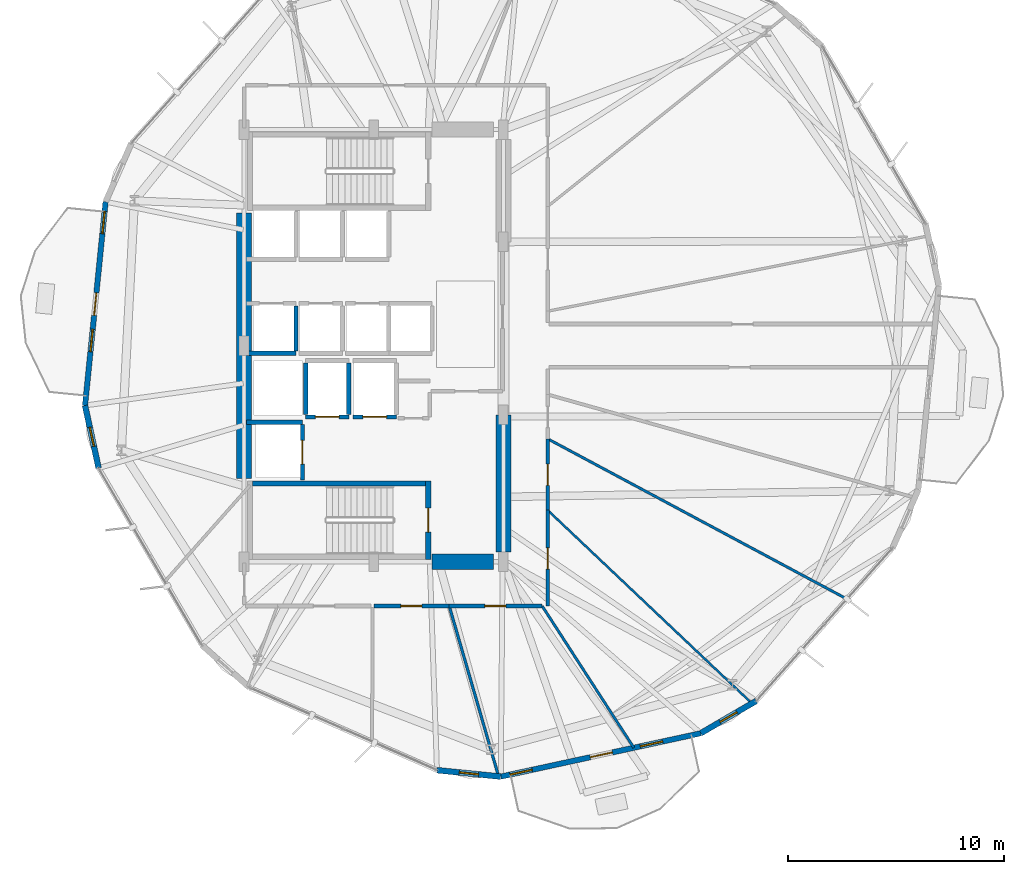
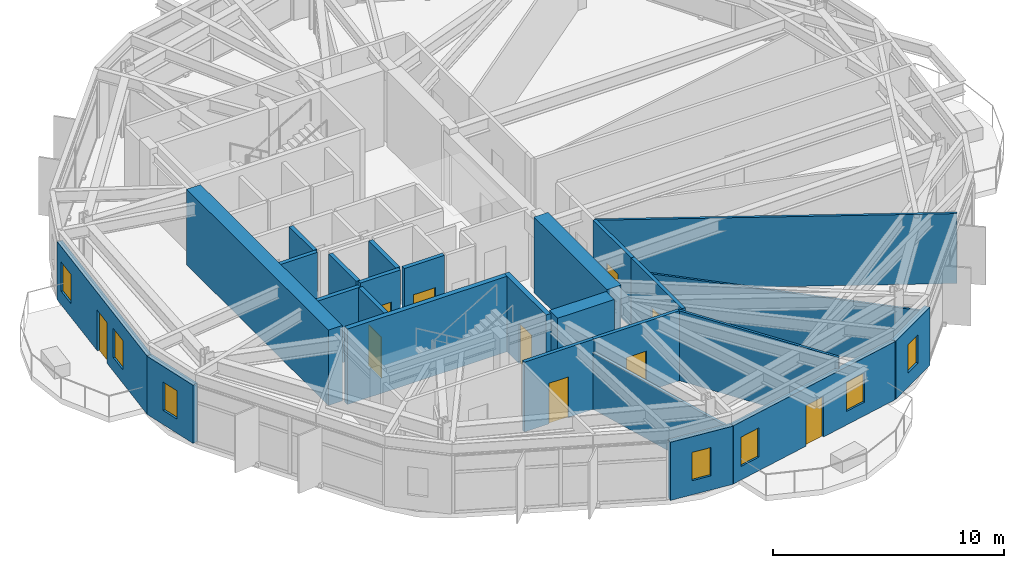
# One storey, part 17 of 22: 26 walls, 10 doors, 7 windows, 17 openings.
"""IFC4 building model written with IfcOpenShell, lengths in metres."""

from ifc_helpers import new_model, si_unit, direction, frame, frame_2d, origin, place, context, subcontext, project, spatial, rectangle, extrude, material, layer, layer_set, type_object, element, fill, save


model = new_model("IFC4")

# Units and contexts
model_context = context("Model", 3, precision=1e-05, world=origin(), true_north=direction((0.0, 1.0)))
body_context = subcontext(model_context, "Body", "Model", "MODEL_VIEW")
ifc_project = project(units=[si_unit("LENGTHUNIT", "METRE"), si_unit("AREAUNIT", "SQUARE_METRE"), si_unit("VOLUMEUNIT", "CUBIC_METRE"), si_unit("PLANEANGLEUNIT", "RADIAN"), si_unit("MASSUNIT", "GRAM", prefix="KILO")], contexts=[model_context])

# Site, building, storey
site_placement = place(None, origin())
site = spatial("IfcSite", under=ifc_project, at=site_placement, CompositionType="ELEMENT")
building_placement = place(site_placement, origin())
building = spatial("IfcBuilding", under=site, at=building_placement, Name="Soratama Intermodal Tower", CompositionType="ELEMENT")
storey_placement = place(building_placement, frame((0.0, 0.0, 74.60009765625)))
storey = spatial("IfcBuildingStorey", under=building, at=storey_placement, Name="L17", CompositionType="ELEMENT", Elevation=74.60009765625)

# Wall, openings, door, windows
ifc_material_1 = material(Name="Concrete f'c 42 MPa", Category="concrete")
ifc_layer_1 = layer(ifc_material_1, 0.25)
ifc_layer_set_1 = layer_set([ifc_layer_1], Name="Concrete f'c 42 MPa")
wall_type_1 = type_object("IfcWallType", Name="EW-BAL-250", PredefinedType="SOLIDWALL", material=ifc_layer_set_1)
wall_1_placement = place(storey_placement, frame((26.18994140625, 31.659912109375, 0.0), z_axis=(0.0, 0.0, 1.0), x_axis=(-0.100365790493, -0.994950605859, 0.0)))
wall_1 = element("IfcWall", 1, at=wall_1_placement, inside=storey, type_object=wall_type_1, Name="L17 Terrace Wall F05", PredefinedType="SOLIDWALL", context=body_context, shape_type="SweptSolid", body=[
    extrude(rectangle(XDim=9.47705078125, YDim=0.25, at=frame_2d((4.738525390625, 0.0))), origin(), (0.0, 0.0, 1.0), 3.078857421875),
])
opening_1_placement = place(wall_1_placement, frame((4.238525390625, 0.0, 0.0)))
opening_1 = element("IfcOpeningElement", 2, at=opening_1_placement, cuts=wall_1, Name="Opening ED-5", PredefinedType="OPENING", context=body_context, shape_type="SweptSolid", body=[
    extrude(rectangle(XDim=1.050048828125, YDim=2.14990234375, at=frame_2d((0.52490234375, 1.074951171875))), frame((0.0, 0.135009765625, 0.0), z_axis=(0.0, -1.0, 0.0), x_axis=(1.0, 0.0, 0.0)), (0.0, 0.0, 1.0), 0.27001953125),
])
opening_2_placement = place(wall_1_placement, frame((0.43994140625, 0.0, 0.719970703125)))
opening_2 = element("IfcOpeningElement", 3, at=opening_2_placement, cuts=wall_1, Name="Opening WN-5", PredefinedType="OPENING", context=body_context, shape_type="SweptSolid", body=[
    extrude(rectangle(XDim=1.050048828125, YDim=1.550048828125, at=frame_2d((0.52490234375, 0.77490234375))), frame((0.0, 0.135009765625, 0.0), z_axis=(0.0, -1.0, 0.0), x_axis=(1.0, 0.0, 0.0)), (0.0, 0.0, 1.0), 0.27001953125),
])
opening_3_placement = place(wall_1_placement, frame((5.928466796875, 0.0, 0.719970703125)))
opening_3 = element("IfcOpeningElement", 4, at=opening_3_placement, cuts=wall_1, Name="Opening WN-5", PredefinedType="OPENING", context=body_context, shape_type="SweptSolid", body=[
    extrude(rectangle(XDim=1.050048828125, YDim=1.550048828125, at=frame_2d((0.52490234375, 0.77490234375))), frame((0.0, 0.135009765625, 0.0), z_axis=(0.0, -1.0, 0.0), x_axis=(1.0, 0.0, 0.0)), (0.0, 0.0, 1.0), 0.27001953125),
])
ifc_material_2 = material(Name="Double-glazed aluminium door", Category="aluminium")
door_type_1 = type_object("IfcDoorType", Name="DR-BAL-1050", OperationType="NOTDEFINED", PredefinedType="DOOR", material=ifc_material_2)
door_1_placement = place(opening_1_placement, origin())
door_1 = element("IfcDoor", 5, at=door_1_placement, inside=storey, type_object=door_type_1, Name="L17 Balcony Door F05", OperationType="SINGLE_SWING_LEFT", OverallHeight=2.14990234375, OverallWidth=1.050048828125, PredefinedType="DOOR", context=body_context, shape_type="SweptSolid", body=[
    extrude(rectangle(XDim=1.050048828125, YDim=2.14990234375, at=frame_2d((0.52490234375, 1.074951171875))), frame((0.0, 0.02490234375, 0.0), z_axis=(0.0, -1.0, 0.0), x_axis=(1.0, 0.0, 0.0)), (0.0, 0.0, 1.0), 0.050048828125),
])
fill(opening_1, door_1)
ifc_material_3 = material(Name="Double-glazed aluminium window", Category="aluminium")
window_type_1 = type_object("IfcWindowType", Name="WN-FAC-1050", PartitioningType="SINGLE_PANEL", PredefinedType="WINDOW", material=ifc_material_3)
window_1_placement = place(opening_2_placement, origin())
window_1 = element("IfcWindow", 6, at=window_1_placement, inside=storey, type_object=window_type_1, Name="L17 Window A F05", OverallHeight=1.550048828125, OverallWidth=1.050048828125, PartitioningType="SINGLE_PANEL", PredefinedType="WINDOW", context=body_context, shape_type="SweptSolid", body=[
    extrude(rectangle(XDim=1.050048828125, YDim=1.550048828125, at=frame_2d((0.52490234375, 0.77490234375))), frame((0.0, 0.030029296875, 0.0), z_axis=(0.0, -1.0, 0.0), x_axis=(1.0, 0.0, 0.0)), (0.0, 0.0, 1.0), 0.06005859375),
])
fill(opening_2, window_1)
window_2_placement = place(opening_3_placement, origin())
window_2 = element("IfcWindow", 7, at=window_2_placement, inside=storey, type_object=window_type_1, Name="L17 Window B F05", OverallHeight=1.550048828125, OverallWidth=1.050048828125, PartitioningType="SINGLE_PANEL", PredefinedType="WINDOW", context=body_context, shape_type="SweptSolid", body=[
    extrude(rectangle(XDim=1.050048828125, YDim=1.550048828125, at=frame_2d((0.52490234375, 0.77490234375))), frame((0.0, 0.030029296875, 0.0), z_axis=(0.0, -1.0, 0.0), x_axis=(1.0, 0.0, 0.0)), (0.0, 0.0, 1.0), 0.06005859375),
])
fill(opening_3, window_2)

wall_2_placement = place(storey_placement, frame((44.478759765625, 5.052490234375, 0.0), z_axis=(0.0, 0.0, 1.0), x_axis=(0.977271129169, 0.211993254829, 0.0)))
wall_2 = element("IfcWall", 8, at=wall_2_placement, inside=storey, type_object=wall_type_1, Name="L17 Terrace Wall F08", PredefinedType="SOLIDWALL", context=body_context, shape_type="SweptSolid", body=[
    extrude(rectangle(XDim=9.476806640625, YDim=0.25, at=frame_2d((4.73828125, 0.0))), origin(), (0.0, 0.0, 1.0), 3.078857421875),
])
opening_4_placement = place(wall_2_placement, frame((4.238525390625, 0.0, 0.0)))
opening_4 = element("IfcOpeningElement", 9, at=opening_4_placement, cuts=wall_2, Name="Opening ED-5", PredefinedType="OPENING", context=body_context, shape_type="SweptSolid", body=[
    extrude(rectangle(XDim=1.050048828125, YDim=2.14990234375, at=frame_2d((0.52490234375, 1.074951171875))), frame((0.0, 0.135009765625, 0.0), z_axis=(0.0, -1.0, 0.0), x_axis=(1.0, 0.0, 0.0)), (0.0, 0.0, 1.0), 0.27001953125),
])
opening_5_placement = place(wall_2_placement, frame((0.43994140625, 0.0, 0.719970703125)))
opening_5 = element("IfcOpeningElement", 10, at=opening_5_placement, cuts=wall_2, Name="Opening WN-5", PredefinedType="OPENING", context=body_context, shape_type="SweptSolid", body=[
    extrude(rectangle(XDim=1.050048828125, YDim=1.550048828125, at=frame_2d((0.52490234375, 0.77490234375))), frame((0.0, 0.135009765625, 0.0), z_axis=(0.0, -1.0, 0.0), x_axis=(1.0, 0.0, 0.0)), (0.0, 0.0, 1.0), 0.27001953125),
])
opening_6_placement = place(wall_2_placement, frame((6.614501953125, 0.0, 0.719970703125)))
opening_6 = element("IfcOpeningElement", 11, at=opening_6_placement, cuts=wall_2, Name="Opening WN-5", PredefinedType="OPENING", context=body_context, shape_type="SweptSolid", body=[
    extrude(rectangle(XDim=1.050048828125, YDim=1.550048828125, at=frame_2d((0.52490234375, 0.77490234375))), frame((0.0, 0.135009765625, 0.0), z_axis=(0.0, -1.0, 0.0), x_axis=(1.0, 0.0, 0.0)), (0.0, 0.0, 1.0), 0.27001953125),
])
door_2_placement = place(opening_4_placement, origin())
door_2 = element("IfcDoor", 12, at=door_2_placement, inside=storey, type_object=door_type_1, Name="L17 Balcony Door F08", OperationType="SINGLE_SWING_RIGHT", OverallHeight=2.14990234375, OverallWidth=1.050048828125, PredefinedType="DOOR", context=body_context, shape_type="SweptSolid", body=[
    extrude(rectangle(XDim=1.050048828125, YDim=2.14990234375, at=frame_2d((0.52490234375, 1.074951171875))), frame((0.0, 0.02490234375, 0.0), z_axis=(0.0, -1.0, 0.0), x_axis=(1.0, 0.0, 0.0)), (0.0, 0.0, 1.0), 0.050048828125),
])
fill(opening_4, door_2)
window_3_placement = place(opening_5_placement, origin())
window_3 = element("IfcWindow", 13, at=window_3_placement, inside=storey, type_object=window_type_1, Name="L17 Window A F08", OverallHeight=1.550048828125, OverallWidth=1.050048828125, PartitioningType="SINGLE_PANEL", PredefinedType="WINDOW", context=body_context, shape_type="SweptSolid", body=[
    extrude(rectangle(XDim=1.050048828125, YDim=1.550048828125, at=frame_2d((0.52490234375, 0.77490234375))), frame((0.0, 0.030029296875, 0.0), z_axis=(0.0, -1.0, 0.0), x_axis=(1.0, 0.0, 0.0)), (0.0, 0.0, 1.0), 0.06005859375),
])
fill(opening_5, window_3)
window_4_placement = place(opening_6_placement, origin())
window_4 = element("IfcWindow", 14, at=window_4_placement, inside=storey, type_object=window_type_1, Name="L17 Window B F08", OverallHeight=1.550048828125, OverallWidth=1.050048828125, PartitioningType="SINGLE_PANEL", PredefinedType="WINDOW", context=body_context, shape_type="SweptSolid", body=[
    extrude(rectangle(XDim=1.050048828125, YDim=1.550048828125, at=frame_2d((0.52490234375, 0.77490234375))), frame((0.0, 0.030029296875, 0.0), z_axis=(0.0, -1.0, 0.0), x_axis=(1.0, 0.0, 0.0)), (0.0, 0.0, 1.0), 0.06005859375),
])
fill(opening_6, window_4)

# Wall, opening, window
ifc_material_4 = material(Name="Concrete f'c 42 MPa", Category="concrete")
ifc_layer_2 = layer(ifc_material_4, 0.27001953125)
ifc_layer_set_2 = layer_set([ifc_layer_2], Name="Concrete f'c 42 MPa")
wall_type_2 = type_object("IfcWallType", Name="EW-CRN-270", PredefinedType="SOLIDWALL", material=ifc_layer_set_2)
wall_3_placement = place(storey_placement, frame((25.23876953125, 22.230712890625, 0.0), z_axis=(0.0, 0.0, 1.0), x_axis=(0.212012761333, -0.977266897542, 0.0)))
wall_3 = element("IfcWall", 15, at=wall_3_placement, inside=storey, type_object=wall_type_2, Name="L17 Corner Closure Wall 05", PredefinedType="SOLIDWALL", context=body_context, shape_type="SweptSolid", body=[
    extrude(rectangle(XDim=2.96630859375, YDim=0.27001953125, at=frame_2d((1.483154296875, 0.0))), origin(), (0.0, 0.0, 1.0), 3.078857421875),
])
opening_7_placement = place(wall_3_placement, frame((1.033203125, 0.0, 0.75)))
opening_7 = element("IfcOpeningElement", 16, at=opening_7_placement, cuts=wall_3, Name="Opening WN-6", PredefinedType="OPENING", context=body_context, shape_type="SweptSolid", body=[
    extrude(rectangle(XDim=0.89990234375, YDim=1.5, at=frame_2d((0.449951171875, 0.75))), frame((0.0, 0.14501953125, 0.0), z_axis=(0.0, -1.0, 0.0), x_axis=(1.0, 0.0, 0.0)), (0.0, 0.0, 1.0), 0.2900390625),
])
ifc_material_5 = material(Name="Double-glazed aluminium window", Category="aluminium")
window_type_2 = type_object("IfcWindowType", Name="WN-FAC-900", PartitioningType="SINGLE_PANEL", PredefinedType="WINDOW", material=ifc_material_5)
window_5_placement = place(opening_7_placement, origin())
window_5 = element("IfcWindow", 17, at=window_5_placement, inside=storey, type_object=window_type_2, Name="L17 Corner Window 05", OverallHeight=1.5, OverallWidth=0.89990234375, PartitioningType="SINGLE_PANEL", PredefinedType="WINDOW", context=body_context, shape_type="SweptSolid", body=[
    extrude(rectangle(XDim=0.89990234375, YDim=1.5, at=frame_2d((0.449951171875, 0.75))), frame((0.0, 0.030029296875, 0.0), z_axis=(0.0, -1.0, 0.0), x_axis=(1.0, 0.0, 0.0)), (0.0, 0.0, 1.0), 0.06005859375),
])
fill(opening_7, window_5)

wall_4_placement = place(storey_placement, frame((41.527099609375, 5.35009765625, 0.0), z_axis=(0.0, 0.0, 1.0), x_axis=(0.994955375676, -0.100318494868, 0.0)))
wall_4 = element("IfcWall", 18, at=wall_4_placement, inside=storey, type_object=wall_type_2, Name="L17 Corner Closure Wall 07", PredefinedType="SOLIDWALL", context=body_context, shape_type="SweptSolid", body=[
    extrude(rectangle(XDim=2.966552734375, YDim=0.27001953125, at=frame_2d((1.4833984375, 0.0))), origin(), (0.0, 0.0, 1.0), 3.078857421875),
])
opening_8_placement = place(wall_4_placement, frame((1.033203125, 0.0, 0.75)))
opening_8 = element("IfcOpeningElement", 19, at=opening_8_placement, cuts=wall_4, Name="Opening WN-6", PredefinedType="OPENING", context=body_context, shape_type="SweptSolid", body=[
    extrude(rectangle(XDim=0.89990234375, YDim=1.5, at=frame_2d((0.449951171875, 0.75))), frame((0.0, 0.14501953125, 0.0), z_axis=(0.0, -1.0, 0.0), x_axis=(1.0, 0.0, 0.0)), (0.0, 0.0, 1.0), 0.2900390625),
])
window_6_placement = place(opening_8_placement, origin())
window_6 = element("IfcWindow", 20, at=window_6_placement, inside=storey, type_object=window_type_2, Name="L17 Corner Window 07", OverallHeight=1.5, OverallWidth=0.89990234375, PartitioningType="SINGLE_PANEL", PredefinedType="WINDOW", context=body_context, shape_type="SweptSolid", body=[
    extrude(rectangle(XDim=0.89990234375, YDim=1.5, at=frame_2d((0.449951171875, 0.75))), frame((0.0, 0.030029296875, 0.0), z_axis=(0.0, -1.0, 0.0), x_axis=(1.0, 0.0, 0.0)), (0.0, 0.0, 1.0), 0.06005859375),
])
fill(opening_8, window_6)

wall_5_placement = place(storey_placement, frame((53.740234375, 7.0615234375, 0.0), z_axis=(0.0, 0.0, 1.0), x_axis=(0.863895290782, 0.503671447041, 0.0)))
wall_5 = element("IfcWall", 21, at=wall_5_placement, inside=storey, type_object=wall_type_2, Name="L17 Corner Closure Wall 08", PredefinedType="SOLIDWALL", context=body_context, shape_type="SweptSolid", body=[
    extrude(rectangle(XDim=2.966552734375, YDim=0.27001953125, at=frame_2d((1.4833984375, 0.0))), origin(), (0.0, 0.0, 1.0), 3.078857421875),
])
opening_9_placement = place(wall_5_placement, frame((1.033203125, 0.0, 0.75)))
opening_9 = element("IfcOpeningElement", 22, at=opening_9_placement, cuts=wall_5, Name="Opening WN-6", PredefinedType="OPENING", context=body_context, shape_type="SweptSolid", body=[
    extrude(rectangle(XDim=0.89990234375, YDim=1.5, at=frame_2d((0.449951171875, 0.75))), frame((0.0, 0.14501953125, 0.0), z_axis=(0.0, -1.0, 0.0), x_axis=(1.0, 0.0, 0.0)), (0.0, 0.0, 1.0), 0.2900390625),
])
window_7_placement = place(opening_9_placement, origin())
window_7 = element("IfcWindow", 23, at=window_7_placement, inside=storey, type_object=window_type_2, Name="L17 Corner Window 08", OverallHeight=1.5, OverallWidth=0.89990234375, PartitioningType="SINGLE_PANEL", PredefinedType="WINDOW", context=body_context, shape_type="SweptSolid", body=[
    extrude(rectangle(XDim=0.89990234375, YDim=1.5, at=frame_2d((0.449951171875, 0.75))), frame((0.0, 0.030029296875, 0.0), z_axis=(0.0, -1.0, 0.0), x_axis=(1.0, 0.0, 0.0)), (0.0, 0.0, 1.0), 0.06005859375),
])
fill(opening_9, window_7)

# Wall, opening, door
ifc_material_6 = material(Name="Fire-rated gypsum stud partition", Category="concrete")
ifc_layer_3 = layer(ifc_material_6, 0.169921875)
ifc_layer_set_3 = layer_set([ifc_layer_3], Name="Fire-rated gypsum stud partition")
wall_type_3 = type_object("IfcWallType", Name="IW-PART-R170", PredefinedType="PARTITIONING", material=ifc_layer_set_3)
wall_6_placement = place(storey_placement, frame((46.64990234375, 17.385009765625, 0.0), z_axis=(0.0, 0.0, 1.0), x_axis=(0.0, -1.0, 0.0)))
wall_6 = element("IfcWall", 24, at=wall_6_placement, inside=storey, type_object=wall_type_3, Name="L17 Partition W-L17-TP018", PredefinedType="PARTITIONING", context=body_context, shape_type="SweptSolid", body=[
    extrude(rectangle(XDim=4.43505859375, YDim=0.169921875, at=frame_2d((2.217529296875, 0.0))), origin(), (0.0, 0.0, 1.0), 3.699951171875),
])
opening_10_placement = place(wall_6_placement, frame((1.742919921875, 0.0, 0.0)))
opening_10 = element("IfcOpeningElement", 25, at=opening_10_placement, cuts=wall_6, Name="Opening ID-5", PredefinedType="OPENING", context=body_context, shape_type="SweptSolid", body=[
    extrude(rectangle(XDim=0.97998046875, YDim=2.14990234375, at=frame_2d((0.489990234375, 1.074951171875))), frame((0.0, 0.094970703125, 0.0), z_axis=(0.0, -1.0, 0.0), x_axis=(1.0, 0.0, 0.0)), (0.0, 0.0, 1.0), 0.18994140625),
])
ifc_material_7 = material(Name="Solid hardwood acoustic door", Category="wood")
door_type_2 = type_object("IfcDoorType", Name="DR-OFF-980", OperationType="NOTDEFINED", PredefinedType="DOOR", material=ifc_material_7)
door_3_placement = place(opening_10_placement, origin())
door_3 = element("IfcDoor", 26, at=door_3_placement, inside=storey, type_object=door_type_2, Name="L17 Door D-L17-TP007", OperationType="SINGLE_SWING_RIGHT", OverallHeight=2.14990234375, OverallWidth=0.97998046875, PredefinedType="DOOR", context=body_context, shape_type="SweptSolid", body=[
    extrude(rectangle(XDim=0.97998046875, YDim=2.14990234375, at=frame_2d((0.489990234375, 1.074951171875))), frame((0.0, 0.02490234375, 0.0), z_axis=(0.0, -1.0, 0.0), x_axis=(1.0, 0.0, 0.0)), (0.0, 0.0, 1.0), 0.050048828125),
])
fill(opening_10, door_3)

wall_7_placement = place(storey_placement, frame((46.39501953125, 12.949951171875, 0.0), z_axis=(0.0, 0.0, 1.0), x_axis=(-1.0, 0.0, 0.0)))
wall_7 = element("IfcWall", 27, at=wall_7_placement, inside=storey, type_object=wall_type_3, Name="L17 Partition W-L17-TP020", PredefinedType="PARTITIONING", context=body_context, shape_type="SweptSolid", body=[
    extrude(rectangle(XDim=4.301025390625, YDim=0.169921875, at=frame_2d((2.150390625, 0.0))), origin(), (0.0, 0.0, 1.0), 3.699951171875),
])
opening_11_placement = place(wall_7_placement, frame((1.676025390625, 0.0, 0.0)))
opening_11 = element("IfcOpeningElement", 28, at=opening_11_placement, cuts=wall_7, Name="Opening ID-5", PredefinedType="OPENING", context=body_context, shape_type="SweptSolid", body=[
    extrude(rectangle(XDim=0.97998046875, YDim=2.14990234375, at=frame_2d((0.489990234375, 1.074951171875))), frame((0.0, 0.094970703125, 0.0), z_axis=(0.0, -1.0, 0.0), x_axis=(1.0, 0.0, 0.0)), (0.0, 0.0, 1.0), 0.18994140625),
])
door_4_placement = place(opening_11_placement, origin())
door_4 = element("IfcDoor", 29, at=door_4_placement, inside=storey, type_object=door_type_2, Name="L17 Door D-L17-TP009", OperationType="SINGLE_SWING_RIGHT", OverallHeight=2.14990234375, OverallWidth=0.97998046875, PredefinedType="DOOR", context=body_context, shape_type="SweptSolid", body=[
    extrude(rectangle(XDim=0.97998046875, YDim=2.14990234375, at=frame_2d((0.489990234375, 1.074951171875))), frame((0.0, 0.02490234375, 0.0), z_axis=(0.0, -1.0, 0.0), x_axis=(1.0, 0.0, 0.0)), (0.0, 0.0, 1.0), 0.050048828125),
])
fill(opening_11, door_4)

wall_8_placement = place(storey_placement, frame((42.093994140625, 12.949951171875, 0.0), z_axis=(0.0, 0.0, 1.0), x_axis=(-1.0, 0.0, 0.0)))
wall_8 = element("IfcWall", 30, at=wall_8_placement, inside=storey, type_object=wall_type_3, Name="L17 Partition W-L17-TP022", PredefinedType="PARTITIONING", context=body_context, shape_type="SweptSolid", body=[
    extrude(rectangle(XDim=3.47509765625, YDim=0.169921875, at=frame_2d((1.737548828125, 0.0))), origin(), (0.0, 0.0, 1.0), 3.699951171875),
])
opening_12_placement = place(wall_8_placement, frame((1.262939453125, 0.0, 0.0)))
opening_12 = element("IfcOpeningElement", 31, at=opening_12_placement, cuts=wall_8, Name="Opening ID-5", PredefinedType="OPENING", context=body_context, shape_type="SweptSolid", body=[
    extrude(rectangle(XDim=0.97998046875, YDim=2.14990234375, at=frame_2d((0.489990234375, 1.074951171875))), frame((0.0, 0.094970703125, 0.0), z_axis=(0.0, -1.0, 0.0), x_axis=(1.0, 0.0, 0.0)), (0.0, 0.0, 1.0), 0.18994140625),
])
door_5_placement = place(opening_12_placement, origin())
door_5 = element("IfcDoor", 32, at=door_5_placement, inside=storey, type_object=door_type_2, Name="L17 Door D-L17-TP010", OperationType="SINGLE_SWING_LEFT", OverallHeight=2.14990234375, OverallWidth=0.97998046875, PredefinedType="DOOR", context=body_context, shape_type="SweptSolid", body=[
    extrude(rectangle(XDim=0.97998046875, YDim=2.14990234375, at=frame_2d((0.489990234375, 1.074951171875))), frame((0.0, 0.02490234375, 0.0), z_axis=(0.0, -1.0, 0.0), x_axis=(1.0, 0.0, 0.0)), (0.0, 0.0, 1.0), 0.050048828125),
])
fill(opening_12, door_5)

wall_9_placement = place(storey_placement, frame((46.64990234375, 20.68896484375, 0.0), z_axis=(0.0, 0.0, 1.0), x_axis=(0.0, -1.0, 0.0)))
wall_9 = element("IfcWall", 33, at=wall_9_placement, inside=storey, type_object=wall_type_3, Name="L17 Partition W-L17-TP024", PredefinedType="PARTITIONING", context=body_context, shape_type="SweptSolid", body=[
    extrude(rectangle(XDim=3.303955078125, YDim=0.169921875, at=frame_2d((1.65185546875, 0.0))), origin(), (0.0, 0.0, 1.0), 3.699951171875),
])
opening_13_placement = place(wall_9_placement, frame((1.177001953125, 0.0, 0.0)))
opening_13 = element("IfcOpeningElement", 34, at=opening_13_placement, cuts=wall_9, Name="Opening ID-5", PredefinedType="OPENING", context=body_context, shape_type="SweptSolid", body=[
    extrude(rectangle(XDim=0.97998046875, YDim=2.14990234375, at=frame_2d((0.489990234375, 1.074951171875))), frame((0.0, 0.094970703125, 0.0), z_axis=(0.0, -1.0, 0.0), x_axis=(1.0, 0.0, 0.0)), (0.0, 0.0, 1.0), 0.18994140625),
])
door_6_placement = place(opening_13_placement, origin())
door_6 = element("IfcDoor", 35, at=door_6_placement, inside=storey, type_object=door_type_2, Name="L17 Door D-L17-TP012", OperationType="SINGLE_SWING_LEFT", OverallHeight=2.14990234375, OverallWidth=0.97998046875, PredefinedType="DOOR", context=body_context, shape_type="SweptSolid", body=[
    extrude(rectangle(XDim=0.97998046875, YDim=2.14990234375, at=frame_2d((0.489990234375, 1.074951171875))), frame((0.0, 0.02490234375, 0.0), z_axis=(0.0, -1.0, 0.0), x_axis=(1.0, 0.0, 0.0)), (0.0, 0.0, 1.0), 0.050048828125),
])
fill(opening_13, door_6)

# Walls
ifc_material_8 = material(Name="Fire-rated gypsum stud partition", Category="concrete")
ifc_layer_4 = layer(ifc_material_8, 0.10009765625)
ifc_layer_set_4 = layer_set([ifc_layer_4], Name="Fire-rated gypsum stud partition")
wall_type_4 = type_object("IfcWallType", Name="IW-PART-S100", PredefinedType="PARTITIONING", material=ifc_layer_set_4)
wall_10_placement = place(storey_placement, frame((46.64990234375, 17.385009765625, 0.0), z_axis=(0.0, 0.0, 1.0), x_axis=(0.726419957341, -0.687251078993, 0.0)))
element("IfcWall", 36, at=wall_10_placement, inside=storey, type_object=wall_type_4, Name="L17 Partition W-L17-TP007", PredefinedType="PARTITIONING", context=body_context, shape_type="SweptSolid", body=[
    extrude(rectangle(XDim=13.052001953125, YDim=0.10009765625, at=frame_2d((6.52587890625, 0.0))), origin(), (0.0, 0.0, 1.0), 2.994873046875),
])
ifc_material_9 = material(Name="Fire-rated gypsum stud partition", Category="concrete")
ifc_layer_5 = layer(ifc_material_9, 0.1201171875)
ifc_layer_set_5 = layer_set([ifc_layer_5], Name="Fire-rated gypsum stud partition")
wall_type_5 = type_object("IfcWallType", Name="IW-PART-S120", PredefinedType="PARTITIONING", material=ifc_layer_set_5)
wall_11_placement = place(storey_placement, frame((46.64990234375, 20.68896484375, 0.0), z_axis=(0.0, 0.0, 1.0), x_axis=(0.881603902275, -0.471989999358, 0.0)))
element("IfcWall", 37, at=wall_11_placement, inside=storey, type_object=wall_type_5, Name="L17 Partition W-L17-TP005", PredefinedType="PARTITIONING", context=body_context, shape_type="SweptSolid", body=[
    extrude(rectangle(XDim=15.72265625, YDim=0.1201171875, at=frame_2d((7.861328125, 0.0))), origin(), (0.0, 0.0, 1.0), 3.699951171875),
])
wall_12_placement = place(storey_placement, frame((46.39501953125, 12.949951171875, 0.0), z_axis=(0.0, 0.0, 1.0), x_axis=(0.543117835723, -0.839656487213, 0.0)))
element("IfcWall", 38, at=wall_12_placement, inside=storey, type_object=wall_type_5, Name="L17 Partition W-L17-TP010", PredefinedType="PARTITIONING", context=body_context, shape_type="SweptSolid", body=[
    extrude(rectangle(XDim=7.81396484375, YDim=0.1201171875, at=frame_2d((3.906982421875, 0.0))), origin(), (0.0, 0.0, 1.0), 3.699951171875),
])
ifc_material_10 = material(Name="Fire-rated gypsum stud partition", Category="concrete")
ifc_layer_6 = layer(ifc_material_10, 0.1298828125)
ifc_layer_set_6 = layer_set([ifc_layer_6], Name="Fire-rated gypsum stud partition")
wall_type_6 = type_object("IfcWallType", Name="IW-PART-S130", PredefinedType="PARTITIONING", material=ifc_layer_set_6)
wall_13_placement = place(storey_placement, frame((42.093994140625, 12.949951171875, 0.0), z_axis=(0.0, 0.0, 1.0), x_axis=(0.278434130026, -0.960455327039, 0.0)))
element("IfcWall", 39, at=wall_13_placement, inside=storey, type_object=wall_type_6, Name="L17 Partition W-L17-TP009", PredefinedType="PARTITIONING", context=body_context, shape_type="SweptSolid", body=[
    extrude(rectangle(XDim=8.228271484375, YDim=0.1298828125, at=frame_2d((4.1142578125, 0.0))), origin(), (0.0, 0.0, 1.0), 2.994873046875),
])

# Wall, opening, door
ifc_material_11 = material(Name="Concrete f'c 42 MPa", Category="concrete")
ifc_layer_7 = layer(ifc_material_11, 0.199951171875)
ifc_layer_set_7 = layer_set([ifc_layer_7], Name="Concrete f'c 42 MPa")
wall_type_7 = type_object("IfcWallType", Name="IW-SHAFT-200", PredefinedType="SOLIDWALL", material=ifc_layer_set_7)
wall_14_placement = place(storey_placement, frame((35.449951171875, 21.699951171875, 0.0), z_axis=(0.0, 0.0, 1.0), x_axis=(1.0, 0.0, 0.0)))
wall_14 = element("IfcWall", 40, at=wall_14_placement, inside=storey, type_object=wall_type_7, Name="L17 FFL-1 Hoistway Wall S", PredefinedType="SOLIDWALL", context=body_context, shape_type="SweptSolid", body=[
    extrude(rectangle(XDim=2.0, YDim=0.199951171875, at=frame_2d((1.0, 0.0))), origin(), (0.0, 0.0, 1.0), 3.699951171875),
])
opening_14_placement = place(wall_14_placement, frame((0.449951171875, 0.0, 0.0)))
opening_14 = element("IfcOpeningElement", 41, at=opening_14_placement, cuts=wall_14, Name="Opening LD-1", PredefinedType="OPENING", context=body_context, shape_type="SweptSolid", body=[
    extrude(rectangle(XDim=1.10009765625, YDim=2.14990234375, at=frame_2d((0.550048828125, 1.074951171875))), frame((0.0, 0.10986328125, 0.0), z_axis=(0.0, -1.0, 0.0), x_axis=(1.0, 0.0, 0.0)), (0.0, 0.0, 1.0), 0.219970703125),
])
ifc_material_12 = material(Name="Steel fire door", Category="steel")
door_type_3 = type_object("IfcDoorType", Name="DR-LIFT-SLIDE", OperationType="NOTDEFINED", PredefinedType="DOOR", material=ifc_material_12)
door_7_placement = place(opening_14_placement, origin())
door_7 = element("IfcDoor", 42, at=door_7_placement, inside=storey, type_object=door_type_3, Name="L17 FFL-1 Sliding Landing Door", OperationType="SLIDING_TO_LEFT", OverallHeight=2.14990234375, OverallWidth=1.10009765625, PredefinedType="DOOR", context=body_context, shape_type="SweptSolid", body=[
    extrude(rectangle(XDim=1.10009765625, YDim=2.14990234375, at=frame_2d((0.550048828125, 1.074951171875))), frame((0.0, 0.02490234375, 0.0), z_axis=(0.0, -1.0, 0.0), x_axis=(1.0, 0.0, 0.0)), (0.0, 0.0, 1.0), 0.050048828125),
])
fill(opening_14, door_7)

# Walls
for number, where, z_axis, x_axis, name in (
    (43, (35.449951171875, 21.81005859375, 0.0), (0.0, 0.0, 1.0), (0.0, 1.0, 0.0), "L17 FFL-1 Hoistway Wall W"),
    (44, (37.449951171875, 21.81005859375, 0.0), (0.0, 0.0, 1.0), (0.0, 1.0, 0.0), "L17 FFL-1 Hoistway Wall E"),
):
    element("IfcWall", number, at=place(storey_placement, frame(where, z_axis=z_axis, x_axis=x_axis)), inside=storey, type_object=wall_type_7, Name=name, PredefinedType="SOLIDWALL", context=body_context, shape_type="SweptSolid", body=[
        extrude(rectangle(XDim=2.3798828125, YDim=0.199951171875, at=frame_2d((1.18994140625, 0.0))), origin(), (0.0, 0.0, 1.0), 3.699951171875),
    ])

# Wall, opening, door
wall_15_placement = place(storey_placement, frame((37.64990234375, 21.699951171875, 0.0), z_axis=(0.0, 0.0, 1.0), x_axis=(1.0, 0.0, 0.0)))
wall_15 = element("IfcWall", 45, at=wall_15_placement, inside=storey, type_object=wall_type_7, Name="L17 FFL-2 Hoistway Wall S", PredefinedType="SOLIDWALL", context=body_context, shape_type="SweptSolid", body=[
    extrude(rectangle(XDim=2.0, YDim=0.199951171875, at=frame_2d((1.0, 0.0))), origin(), (0.0, 0.0, 1.0), 3.699951171875),
])
opening_15_placement = place(wall_15_placement, frame((0.449951171875, 0.0, 0.0)))
opening_15 = element("IfcOpeningElement", 46, at=opening_15_placement, cuts=wall_15, Name="Opening LD-1", PredefinedType="OPENING", context=body_context, shape_type="SweptSolid", body=[
    extrude(rectangle(XDim=1.10009765625, YDim=2.14990234375, at=frame_2d((0.550048828125, 1.074951171875))), frame((0.0, 0.10986328125, 0.0), z_axis=(0.0, -1.0, 0.0), x_axis=(1.0, 0.0, 0.0)), (0.0, 0.0, 1.0), 0.219970703125),
])
door_8_placement = place(opening_15_placement, origin())
door_8 = element("IfcDoor", 47, at=door_8_placement, inside=storey, type_object=door_type_3, Name="L17 FFL-2 Sliding Landing Door", OperationType="SLIDING_TO_LEFT", OverallHeight=2.14990234375, OverallWidth=1.10009765625, PredefinedType="DOOR", context=body_context, shape_type="SweptSolid", body=[
    extrude(rectangle(XDim=1.10009765625, YDim=2.14990234375, at=frame_2d((0.550048828125, 1.074951171875))), frame((0.0, 0.02490234375, 0.0), z_axis=(0.0, -1.0, 0.0), x_axis=(1.0, 0.0, 0.0)), (0.0, 0.0, 1.0), 0.050048828125),
])
fill(opening_15, door_8)

# Wall
wall_16_placement = place(storey_placement, frame((32.719970703125, 21.449951171875, 0.0), z_axis=(0.0, 0.0, 1.0), x_axis=(1.0, 0.0, 0.0)))
element("IfcWall", 48, at=wall_16_placement, inside=storey, type_object=wall_type_7, Name="L17 SVL-1 Hoistway Wall N", PredefinedType="SOLIDWALL", context=body_context, shape_type="SweptSolid", body=[
    extrude(rectangle(XDim=2.580078125, YDim=0.199951171875, at=frame_2d((1.2900390625, 0.0))), origin(), (0.0, 0.0, 1.0), 3.699951171875),
])

# Wall, opening, door
wall_17_placement = place(storey_placement, frame((35.300048828125, 18.7900390625, 0.0), z_axis=(0.0, 0.0, 1.0), x_axis=(0.0, 1.0, 0.0)))
wall_17 = element("IfcWall", 49, at=wall_17_placement, inside=storey, type_object=wall_type_7, Name="L17 SVL-1 Hoistway Wall E", PredefinedType="SOLIDWALL", context=body_context, shape_type="SweptSolid", body=[
    extrude(rectangle(XDim=2.550048828125, YDim=0.199951171875, at=frame_2d((1.27490234375, 0.0))), origin(), (0.0, 0.0, 1.0), 3.699951171875),
])
opening_16_placement = place(wall_17_placement, frame((0.72509765625, 0.0, 0.0)))
opening_16 = element("IfcOpeningElement", 50, at=opening_16_placement, cuts=wall_17, Name="Opening LD-1", PredefinedType="OPENING", context=body_context, shape_type="SweptSolid", body=[
    extrude(rectangle(XDim=1.10009765625, YDim=2.14990234375, at=frame_2d((0.550048828125, 1.074951171875))), frame((0.0, 0.10986328125, 0.0), z_axis=(0.0, -1.0, 0.0), x_axis=(1.0, 0.0, 0.0)), (0.0, 0.0, 1.0), 0.219970703125),
])
door_9_placement = place(opening_16_placement, origin())
door_9 = element("IfcDoor", 51, at=door_9_placement, inside=storey, type_object=door_type_3, Name="L17 SVL-1 Sliding Landing Door", OperationType="SLIDING_TO_LEFT", OverallHeight=2.14990234375, OverallWidth=1.10009765625, PredefinedType="DOOR", context=body_context, shape_type="SweptSolid", body=[
    extrude(rectangle(XDim=1.10009765625, YDim=2.14990234375, at=frame_2d((0.550048828125, 1.074951171875))), frame((0.0, 0.02490234375, 0.0), z_axis=(0.0, -1.0, 0.0), x_axis=(1.0, 0.0, 0.0)), (0.0, 0.0, 1.0), 0.050048828125),
])
fill(opening_16, door_9)

# Walls
wall_18_placement = place(storey_placement, frame((32.719970703125, 24.64990234375, 0.0), z_axis=(0.0, 0.0, 1.0), x_axis=(1.0, 0.0, 0.0)))
element("IfcWall", 52, at=wall_18_placement, inside=storey, type_object=wall_type_7, Name="L17 PL-L1 Hoistway Wall S", PredefinedType="SOLIDWALL", context=body_context, shape_type="SweptSolid", body=[
    extrude(rectangle(XDim=2.280029296875, YDim=0.199951171875, at=frame_2d((1.14013671875, 0.0))), origin(), (0.0, 0.0, 1.0), 3.699951171875),
])
wall_19_placement = place(storey_placement, frame((35.0, 24.760009765625, 0.0), z_axis=(0.0, 0.0, 1.0), x_axis=(0.0, 1.0, 0.0)))
element("IfcWall", 53, at=wall_19_placement, inside=storey, type_object=wall_type_7, Name="L17 PL-L1 Hoistway Wall E", PredefinedType="SOLIDWALL", context=body_context, shape_type="SweptSolid", body=[
    extrude(rectangle(XDim=2.080078125, YDim=0.199951171875, at=frame_2d((1.0400390625, 0.0))), origin(), (0.0, 0.0, 1.0), 3.699951171875),
])
ifc_material_13 = material(Name="Concrete f'c 56 MPa", Category="concrete")
ifc_layer_8 = layer(ifc_material_13, 0.699951171875)
ifc_layer_set_8 = layer_set([ifc_layer_8], Name="Concrete f'c 56 MPa")
wall_type_8 = type_object("IfcWallType", Name="SW-CORE-700", PredefinedType="SHEAR", material=ifc_layer_set_8)
wall_20_placement = place(storey_placement, frame((32.60009765625, 18.85009765625, 0.0), z_axis=(0.0, 0.0, 1.0), x_axis=(0.0, 1.0, 0.0)))
element("IfcWall", 54, at=wall_20_placement, inside=storey, type_object=wall_type_8, Name="L17 Core Shear Wall CW-WMID", PredefinedType="SHEAR", context=body_context, shape_type="SweptSolid", body=[
    extrude(rectangle(XDim=12.2998046875, YDim=0.699951171875, at=frame_2d((6.14990234375, 0.0))), origin(), (0.0, 0.0, 1.0), 4.0),
])
wall_21_placement = place(storey_placement, frame((41.300048828125, 15.0, 0.0), z_axis=(0.0, 0.0, 1.0), x_axis=(1.0, 0.0, 0.0)))
element("IfcWall", 55, at=wall_21_placement, inside=storey, type_object=wall_type_8, Name="L17 Core Shear Wall CW-SE", PredefinedType="SHEAR", context=body_context, shape_type="SweptSolid", body=[
    extrude(rectangle(XDim=2.849853515625, YDim=0.699951171875, at=frame_2d((1.4248046875, 0.0))), origin(), (0.0, 0.0, 1.0), 4.0),
])
wall_22_placement = place(storey_placement, frame((44.60009765625, 15.449951171875, 0.0), z_axis=(0.0, 0.0, 1.0), x_axis=(0.0, 1.0, 0.0)))
element("IfcWall", 56, at=wall_22_placement, inside=storey, type_object=wall_type_8, Name="L17 Core Shear Wall CW-ES", PredefinedType="SHEAR", context=body_context, shape_type="SweptSolid", body=[
    extrude(rectangle(XDim=6.35009765625, YDim=0.699951171875, at=frame_2d((3.175048828125, 0.0))), origin(), (0.0, 0.0, 1.0), 4.0),
])

# Wall, opening, door
ifc_material_14 = material(Name="Concrete f'c 56 MPa", Category="concrete")
ifc_layer_9 = layer(ifc_material_14, 0.239990234375)
ifc_layer_set_9 = layer_set([ifc_layer_9], Name="Concrete f'c 56 MPa")
wall_type_9 = type_object("IfcWallType", Name="SW-STAIR-240", PredefinedType="SHEAR", material=ifc_layer_set_9)
wall_23_placement = place(storey_placement, frame((41.1201171875, 15.110107421875, 0.0), z_axis=(0.0, 0.0, 1.0), x_axis=(0.0, 1.0, 0.0)))
wall_23 = element("IfcWall", 57, at=wall_23_placement, inside=storey, type_object=wall_type_9, Name="L17 ST-1 Shaft Shear Wall E", PredefinedType="SHEAR", context=body_context, shape_type="SweptSolid", body=[
    extrude(rectangle(XDim=3.6298828125, YDim=0.239990234375, at=frame_2d((1.81494140625, 0.0))), origin(), (0.0, 0.0, 1.0), 4.0),
])
opening_17_placement = place(wall_23_placement, frame((1.2548828125, 0.0, 0.0)))
opening_17 = element("IfcOpeningElement", 58, at=opening_17_placement, cuts=wall_23, Name="Opening SD-1", PredefinedType="OPENING", context=body_context, shape_type="SweptSolid", body=[
    extrude(rectangle(XDim=1.1201171875, YDim=2.14990234375, at=frame_2d((0.56005859375, 1.074951171875))), frame((0.0, 0.1298828125, 0.0), z_axis=(0.0, -1.0, 0.0), x_axis=(1.0, 0.0, 0.0)), (0.0, 0.0, 1.0), 0.260009765625),
])
ifc_material_15 = material(Name="Steel fire door", Category="steel")
door_type_4 = type_object("IfcDoorType", Name="DR-STAIR-FD90", OperationType="NOTDEFINED", PredefinedType="DOOR", material=ifc_material_15)
door_10_placement = place(opening_17_placement, origin())
door_10 = element("IfcDoor", 59, at=door_10_placement, inside=storey, type_object=door_type_4, Name="L17 ST-1 Exit Stair Door", OperationType="SINGLE_SWING_LEFT", OverallHeight=2.14990234375, OverallWidth=1.1201171875, PredefinedType="DOOR", context=body_context, shape_type="SweptSolid", body=[
    extrude(rectangle(XDim=1.1201171875, YDim=2.14990234375, at=frame_2d((0.56005859375, 1.074951171875))), frame((0.0, 0.02490234375, 0.0), z_axis=(0.0, -1.0, 0.0), x_axis=(1.0, 0.0, 0.0)), (0.0, 0.0, 1.0), 0.050048828125),
])
fill(opening_17, door_10)

# Wall
wall_24_placement = place(storey_placement, frame((33.0, 18.6201171875, 0.0), z_axis=(0.0, 0.0, 1.0), x_axis=(1.0, 0.0, 0.0)))
element("IfcWall", 60, at=wall_24_placement, inside=storey, type_object=wall_type_9, Name="L17 ST-1 Shaft Shear Wall N", PredefinedType="SHEAR", context=body_context, shape_type="SweptSolid", body=[
    extrude(rectangle(XDim=8.0, YDim=0.239990234375, at=frame_2d((4.0, 0.0))), origin(), (0.0, 0.0, 1.0), 4.0),
])

save(model, "model.ifc")
